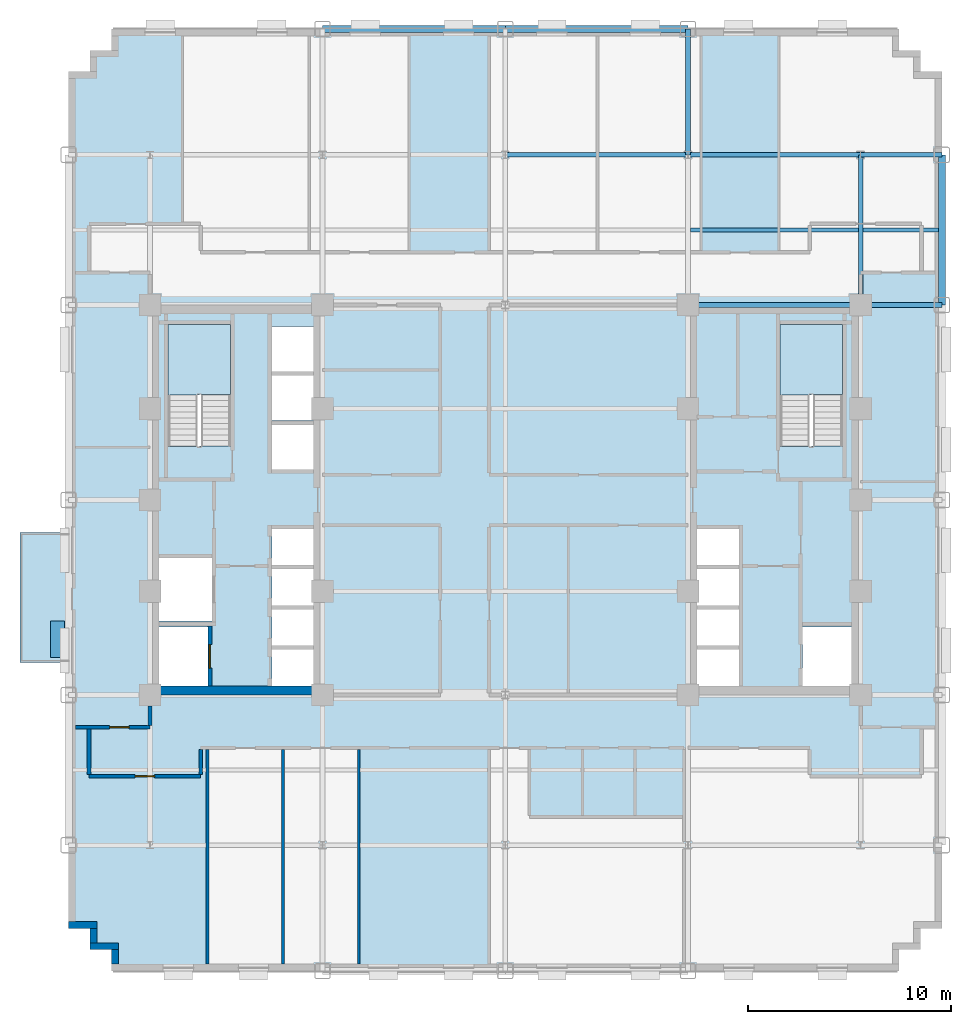
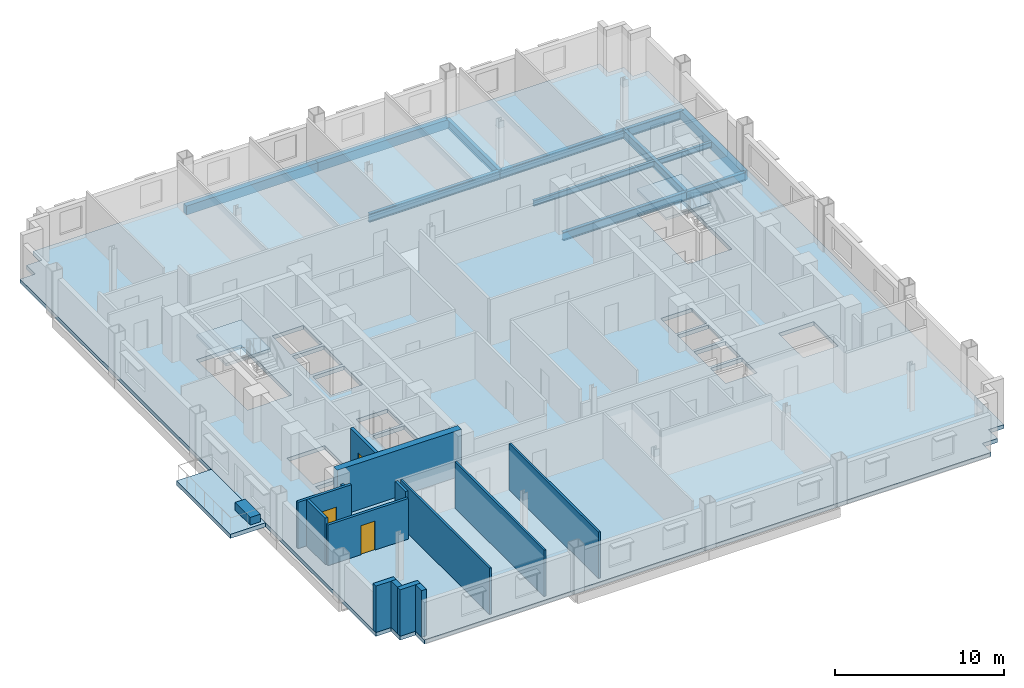
# One storey, part 5 of 14: 14 walls, 12 beams, 4 slabs, 3 doors, 1 plate, 3 openings, 2 elements without a shape of their own.
"""IFC4 building model written with IfcOpenShell, lengths in metres."""

from ifc_helpers import new_model, si_unit, direction, frame, frame_2d, origin, origin_2d, place, context, subcontext, project, spatial, polyline, rectangle, i_section, outline, extrude, source, transform, mapped, material, layer, layer_set, material_profile, profile_set, type_object, type_shapes, element, fill, aggregate, save


model = new_model("IFC4")

# Units and contexts
model_context = context("Model", 3, precision=1e-05, world=origin(), true_north=direction((0.0, 1.0)))
body_context = subcontext(model_context, "Body", "Model", "MODEL_VIEW")
ifc_project = project(units=[si_unit("LENGTHUNIT", "METRE"), si_unit("AREAUNIT", "SQUARE_METRE"), si_unit("VOLUMEUNIT", "CUBIC_METRE"), si_unit("PLANEANGLEUNIT", "RADIAN"), si_unit("MASSUNIT", "GRAM", prefix="KILO")], contexts=[model_context])

# Site, building, storey
site_placement = place(None, origin())
site = spatial("IfcSite", under=ifc_project, at=site_placement, CompositionType="ELEMENT")
building_placement = place(site_placement, origin())
building = spatial("IfcBuilding", under=site, at=building_placement, Name="Nuvemarco Arch Tower", CompositionType="ELEMENT")
storey_placement = place(building_placement, frame((0.0, 0.0, 60.449951171875)))
storey = spatial("IfcBuildingStorey", under=building, at=storey_placement, Name="L15", CompositionType="ELEMENT", Elevation=60.449951171875)

# Beams
ifc_material_1 = material(Name="Steel S355", Category="steel")
ifc_material_profile_1 = material_profile(ifc_material_1, i_section(OverallWidth=0.22998046875, OverallDepth=0.616943359375, WebThickness=0.01318359375, FlangeThickness=0.022216796875, FilletRadius=0.01611328125, at=origin_2d()), Name="W610x140")
ifc_profile_set_1 = profile_set([ifc_material_profile_1], Name="Steel S355")
beam_type_1 = type_object("IfcBeamType", Name="BM-GIRD-610", PredefinedType="BEAM", material=ifc_profile_set_1)
beam_1_placement = place(storey_placement, frame((9.0, 17.0, -0.58837890625), z_axis=(0.0, 1.0, 0.0), x_axis=(-1.0, 0.0, 0.0)))
element("IfcBeam", 1, at=beam_1_placement, inside=storey, type_object=beam_type_1, Name="L15 structural beam BGNS_L15_0_+9.0_+17.0", PredefinedType="BEAM", context=body_context, shape_type="SweptSolid", body=[
    extrude(i_section(OverallWidth=0.22998046875, OverallDepth=0.616943359375, WebThickness=0.01318359375, FlangeThickness=0.022216796875, FilletRadius=0.01611328125, at=origin_2d()), origin(), (0.0, 0.0, 1.0), 6.199951171875),
])
beam_2_placement = place(storey_placement, frame((17.5, 9.60009765625, -0.58837890625), z_axis=(0.0, 1.0, 0.0), x_axis=(-1.0, 0.0, 0.0)))
element("IfcBeam", 2, at=beam_2_placement, inside=storey, type_object=beam_type_1, Name="L15 structural beam BGNS_L15_0_+17.5_+9.6", PredefinedType="BEAM", context=body_context, shape_type="SweptSolid", body=[
    extrude(i_section(OverallWidth=0.22998046875, OverallDepth=0.616943359375, WebThickness=0.01318359375, FlangeThickness=0.022216796875, FilletRadius=0.01611328125, at=origin_2d()), origin(), (0.0, 0.0, 1.0), 7.39990234375),
])
beam_3_placement = place(storey_placement, frame((9.0, 9.60009765625, -0.58837890625), z_axis=(1.0, 0.0, 0.0), x_axis=(0.0, 1.0, 0.0)))
element("IfcBeam", 3, at=beam_3_placement, inside=storey, type_object=beam_type_1, Name="L15 structural beam BGEW_L15_0_+9.6_+9.0", PredefinedType="BEAM", context=body_context, shape_type="SweptSolid", body=[
    extrude(i_section(OverallWidth=0.22998046875, OverallDepth=0.616943359375, WebThickness=0.01318359375, FlangeThickness=0.022216796875, FilletRadius=0.01611328125, at=origin_2d()), origin(), (0.0, 0.0, 1.0), 8.5),
])
beam_4_placement = place(storey_placement, frame((17.5, 9.60009765625, -0.58837890625), z_axis=(1.0, 0.0, 0.0), x_axis=(0.0, 1.0, 0.0)))
element("IfcBeam", 4, at=beam_4_placement, inside=storey, type_object=beam_type_1, Name="L15 structural beam BGEW_L15_0_+9.6_+17.5", PredefinedType="BEAM", context=body_context, shape_type="SweptSolid", body=[
    extrude(i_section(OverallWidth=0.22998046875, OverallDepth=0.616943359375, WebThickness=0.01318359375, FlangeThickness=0.022216796875, FilletRadius=0.01611328125, at=origin_2d()), origin(), (0.0, 0.0, 1.0), 4.0),
])
beam_5_placement = place(storey_placement, frame((0.0, 17.0, -0.58837890625), z_axis=(1.0, 0.0, 0.0), x_axis=(0.0, 1.0, 0.0)))
element("IfcBeam", 5, at=beam_5_placement, inside=storey, type_object=beam_type_1, Name="L15 structural beam BGEW_L15_0_+17.0_+0.0", PredefinedType="BEAM", context=body_context, shape_type="SweptSolid", body=[
    extrude(i_section(OverallWidth=0.22998046875, OverallDepth=0.616943359375, WebThickness=0.01318359375, FlangeThickness=0.022216796875, FilletRadius=0.01611328125, at=origin_2d()), origin(), (0.0, 0.0, 1.0), 9.0),
])
beam_6_placement = place(storey_placement, frame((9.0, 17.0, -0.58837890625), z_axis=(1.0, 0.0, 0.0), x_axis=(0.0, 1.0, 0.0)))
element("IfcBeam", 6, at=beam_6_placement, inside=storey, type_object=beam_type_1, Name="L15 structural beam BGEW_L15_0_+17.0_+9.0", PredefinedType="BEAM", context=body_context, shape_type="SweptSolid", body=[
    extrude(i_section(OverallWidth=0.22998046875, OverallDepth=0.616943359375, WebThickness=0.01318359375, FlangeThickness=0.022216796875, FilletRadius=0.01611328125, at=origin_2d()), origin(), (0.0, 0.0, 1.0), 8.5),
])
beam_7_placement = place(storey_placement, frame((17.5, 17.0, -0.58837890625), z_axis=(1.0, 0.0, 0.0), x_axis=(0.0, 1.0, 0.0)))
element("IfcBeam", 7, at=beam_7_placement, inside=storey, type_object=beam_type_1, Name="L15 structural beam BGEW_L15_0_+17.0_+17.5", PredefinedType="BEAM", context=body_context, shape_type="SweptSolid", body=[
    extrude(i_section(OverallWidth=0.22998046875, OverallDepth=0.616943359375, WebThickness=0.01318359375, FlangeThickness=0.022216796875, FilletRadius=0.01611328125, at=origin_2d()), origin(), (0.0, 0.0, 1.0), 4.0),
])
ifc_material_profile_2 = material_profile(ifc_material_1, i_section(OverallWidth=0.179931640625, OverallDepth=0.4130859375, WebThickness=0.009765625, FlangeThickness=0.01611328125, FilletRadius=0.014892578125, at=origin_2d()), Name="W410x75")
ifc_profile_set_2 = profile_set([ifc_material_profile_2], Name="Steel S355")
beam_type_2 = type_object("IfcBeamType", Name="BM-JOIST-410", PredefinedType="JOIST", material=ifc_profile_set_2)
beam_8_placement = place(storey_placement, frame((9.114990234375, 13.300048828125, -0.486572265625), z_axis=(1.0, 0.0, 0.0), x_axis=(0.0, 1.0, 0.0)))
element("IfcBeam", 8, at=beam_8_placement, inside=storey, type_object=beam_type_2, Name="L15 structural beam BJ_L15_0_+13.3_+9.0", PredefinedType="JOIST", context=body_context, shape_type="SweptSolid", body=[
    extrude(i_section(OverallWidth=0.179931640625, OverallDepth=0.4130859375, WebThickness=0.009765625, FlangeThickness=0.01611328125, FilletRadius=0.014892578125, at=origin_2d()), origin(), (0.0, 0.0, 1.0), 8.27001953125),
])
beam_9_placement = place(storey_placement, frame((17.614990234375, 13.300048828125, -0.486572265625), z_axis=(1.0, 0.0, 0.0), x_axis=(0.0, 1.0, 0.0)))
element("IfcBeam", 9, at=beam_9_placement, inside=storey, type_object=beam_type_2, Name="L15 structural beam BJ_L15_0_+13.3_+17.5", PredefinedType="JOIST", context=body_context, shape_type="SweptSolid", body=[
    extrude(i_section(OverallWidth=0.179931640625, OverallDepth=0.4130859375, WebThickness=0.009765625, FlangeThickness=0.01611328125, FilletRadius=0.014892578125, at=origin_2d()), origin(), (0.0, 0.0, 1.0), 3.7099609375),
])
ifc_material_2 = material(Name="Precast concrete C45/55", Category="concrete")
ifc_material_profile_3 = material_profile(ifc_material_2, rectangle(XDim=0.35009765625, YDim=0.64990234375, at=origin_2d()), Name="PC-SP-350x650")
ifc_profile_set_3 = profile_set([ifc_material_profile_3], Name="Precast concrete C45/55")
beam_type_3 = type_object("IfcBeamType", Name="BM-SPAN-RC", PredefinedType="SPANDREL", material=ifc_profile_set_3)
beam_10_placement = place(storey_placement, frame((21.5, 9.60009765625, -0.60498046875), z_axis=(0.0, 1.0, 0.0), x_axis=(-1.0, 0.0, 0.0)))
element("IfcBeam", 10, at=beam_10_placement, inside=storey, type_object=beam_type_3, Name="L15 structural beam BGNS_L15_0_+21.5_+9.6", PredefinedType="SPANDREL", context=body_context, shape_type="SweptSolid", body=[
    extrude(rectangle(XDim=0.35009765625, YDim=0.64990234375, at=origin_2d()), origin(), (0.0, 0.0, 1.0), 7.39990234375),
])
for number, where, z_axis, x_axis, name in (
    (11, (-9.0, 23.199951171875, -0.60498046875), (1.0, 0.0, 0.0), (0.0, 1.0, 0.0), "L15 structural beam BGEW_L15_0_+23.2_-9.0"),
    (12, (0.0, 23.199951171875, -0.60498046875), (1.0, 0.0, 0.0), (0.0, 1.0, 0.0), "L15 structural beam BGEW_L15_0_+23.2_+0.0"),
):
    element("IfcBeam", number, at=place(storey_placement, frame(where, z_axis=z_axis, x_axis=x_axis)), inside=storey, type_object=beam_type_3, Name=name, PredefinedType="SPANDREL", context=body_context, shape_type="SweptSolid", body=[
        extrude(rectangle(XDim=0.35009765625, YDim=0.64990234375, at=origin_2d()), origin(), (0.0, 0.0, 1.0), 9.0),
    ])

# Slab
ifc_material_3 = material(Name="Concrete C50/60", Category="concrete")
ifc_layer_1 = layer(ifc_material_3, 0.280029296875, Name="SL-FLR-280")
ifc_layer_set_1 = layer_set([ifc_layer_1], Name="Concrete C50/60")
slab_type_1 = type_object("IfcSlabType", Name="SL-FLR-280", PredefinedType="FLOOR", material=ifc_layer_set_1)
slab_1_placement = place(storey_placement, frame((0.0, 0.0, -0.280029296875)))
element("IfcSlab", 13, at=slab_1_placement, inside=storey, type_object=slab_type_1, Name="L15 structural floor slab", PredefinedType="FLOOR", context=body_context, shape_type="SweptSolid", body=[
    extrude(outline(polyline([(-19.39990234375, -23.199951171875), (19.39990234375, -23.199951171875), (19.39990234375, -22.14990234375), (20.449951171875, -22.14990234375), (20.449951171875, -21.10009765625), (21.5, -21.10009765625), (21.5, 21.10009765625), (20.449951171875, 21.10009765625), (20.449951171875, 22.14990234375), (19.39990234375, 22.14990234375), (19.39990234375, 23.199951171875), (-19.39990234375, 23.199951171875), (-19.39990234375, 22.14990234375), (-20.449951171875, 22.14990234375), (-20.449951171875, 21.10009765625), (-21.5, 21.10009765625), (-21.5, -21.10009765625), (-20.449951171875, -21.10009765625), (-20.449951171875, -22.14990234375), (-19.39990234375, -22.14990234375), (-19.39990234375, -23.199951171875)]), holes=[polyline([(-13.5400390625, 2.669921875), (-13.5400390625, 8.64990234375), (-16.60009765625, 8.64990234375), (-16.60009765625, 2.630615234375), (-15.070068359375, 2.630615234375), (-15.070068359375, 2.669921875), (-13.5400390625, 2.669921875)]), polyline([(16.60009765625, 2.669921875), (16.60009765625, 8.64990234375), (13.5400390625, 8.64990234375), (13.5400390625, 2.630615234375), (15.070068359375, 2.630615234375), (15.070068359375, 2.669921875), (16.60009765625, 2.669921875)]), polyline([(-17.050048828125, -9.14990234375), (-14.64990234375, -9.14990234375), (-14.64990234375, -6.25), (-17.050048828125, -6.25), (-17.050048828125, -9.14990234375)]), polyline([(-17.050048828125, -5.949951171875), (-14.449951171875, -5.949951171875), (-14.449951171875, -2.85009765625), (-17.050048828125, -2.85009765625), (-17.050048828125, -5.949951171875)]), polyline([(-11.5, -9.14990234375), (-9.35009765625, -9.14990234375), (-9.35009765625, -7.3701171875), (-11.5, -7.3701171875), (-11.5, -9.14990234375)]), polyline([(-11.5, -7.169921875), (-9.35009765625, -7.169921875), (-9.35009765625, -5.389892578125), (-11.5, -5.389892578125), (-11.5, -7.169921875)]), polyline([(-11.5, -5.18994140625), (-9.35009765625, -5.18994140625), (-9.35009765625, -3.409912109375), (-11.5, -3.409912109375), (-11.5, -5.18994140625)]), polyline([(-11.5, -3.2099609375), (-9.35009765625, -3.2099609375), (-9.35009765625, -1.429931640625), (-11.5, -1.429931640625), (-11.5, -3.2099609375)]), polyline([(-11.5, 1.5), (-9.35009765625, 1.5), (-9.35009765625, 3.699951171875), (-11.5, 3.699951171875), (-11.5, 1.5)]), polyline([(-11.5, 3.919921875), (-9.35009765625, 3.919921875), (-9.35009765625, 6.1201171875), (-11.5, 6.1201171875), (-11.5, 3.919921875)]), polyline([(-11.5, 6.340087890625), (-9.35009765625, 6.340087890625), (-9.35009765625, 8.5400390625), (-11.5, 8.5400390625), (-11.5, 6.340087890625)]), polyline([(14.64990234375, -9.14990234375), (17.050048828125, -9.14990234375), (17.050048828125, -6.25), (14.64990234375, -6.25), (14.64990234375, -9.14990234375)]), polyline([(9.35009765625, -9.14990234375), (11.5, -9.14990234375), (11.5, -7.3701171875), (9.35009765625, -7.3701171875), (9.35009765625, -9.14990234375)]), polyline([(9.35009765625, -7.169921875), (11.5, -7.169921875), (11.5, -5.389892578125), (9.35009765625, -5.389892578125), (9.35009765625, -7.169921875)]), polyline([(9.35009765625, -5.18994140625), (11.5, -5.18994140625), (11.5, -3.409912109375), (9.35009765625, -3.409912109375), (9.35009765625, -5.18994140625)]), polyline([(9.35009765625, -3.2099609375), (11.5, -3.2099609375), (11.5, -1.429931640625), (9.35009765625, -1.429931640625), (9.35009765625, -3.2099609375)])]), origin(), (0.0, 0.0, 1.0), 0.280029296875),
])

# Stair, slab
stair_type = type_object("IfcStairType", Name="ST-CORE-20R", PredefinedType="HALF_TURN_STAIR", material=ifc_material_2)
stair_1_placement = place(storey_placement, origin())
stair_1 = element("IfcStair", 14, at=stair_1_placement, inside=storey, type_object=stair_type, Name="L15 Protected Exit Stair ST-1", PredefinedType="HALF_TURN_STAIR")
ifc_layer_2 = layer(ifc_material_2, 0.199951171875, Name="SL-LANDING-200")
ifc_layer_set_2 = layer_set([ifc_layer_2], Name="Precast concrete C45/55")
slab_type_2 = type_object("IfcSlabType", Name="SL-LANDING-200", PredefinedType="LANDING", material=ifc_layer_set_2)
slab_2_placement = place(storey_placement, frame((0.0, 0.0, 1.625)))
slab_2 = element("IfcSlab", 15, at=slab_2_placement, type_object=slab_type_2, Name="ST-20R landing 1", PredefinedType="LANDING", context=body_context, shape_type="SweptSolid", body=[
    extrude(outline(polyline([(-13.5400390625, 5.189453125), (-13.5400390625, 8.64990234375), (-16.60009765625, 8.64990234375), (-16.60009765625, 5.169921875), (-15.070068359375, 5.169921875), (-15.070068359375, 5.189453125), (-13.5400390625, 5.189453125)])), origin(), (0.0, 0.0, 1.0), 0.199951171875),
])
aggregate(stair_1, [slab_2])

stair_2_placement = place(storey_placement, origin())
stair_2 = element("IfcStair", 16, at=stair_2_placement, inside=storey, type_object=stair_type, Name="L15 Protected Exit Stair ST-2", PredefinedType="HALF_TURN_STAIR")
slab_3_placement = place(storey_placement, frame((0.0, 0.0, 1.625)))
slab_3 = element("IfcSlab", 17, at=slab_3_placement, type_object=slab_type_2, Name="ST-20R landing 1", PredefinedType="LANDING", context=body_context, shape_type="SweptSolid", body=[
    extrude(outline(polyline([(16.60009765625, 5.189453125), (16.60009765625, 8.64990234375), (13.5400390625, 8.64990234375), (13.5400390625, 5.169921875), (15.070068359375, 5.169921875), (15.070068359375, 5.189453125), (16.60009765625, 5.189453125)])), origin(), (0.0, 0.0, 1.0), 0.199951171875),
])
aggregate(stair_2, [slab_3])

# Slab
ifc_layer_3 = layer(ifc_material_3, 0.294921875, Name="SL-TR4")
ifc_layer_set_3 = layer_set([ifc_layer_3], Name="Concrete C50/60")
slab_type_3 = type_object("IfcSlabType", Name="SL-TR4", PredefinedType="FLOOR", material=ifc_layer_set_3)
slab_4_placement = place(storey_placement, frame((0.0, 0.0, -0.294921875)))
element("IfcSlab", 18, at=slab_4_placement, inside=storey, type_object=slab_type_3, Name="L15 outdoor spiral terrace slab 1", PredefinedType="FLOOR", context=body_context, shape_type="SweptSolid", body=[
    extrude(outline(polyline([(-23.89990234375, -8.0), (-21.5, -8.0), (-21.5, -1.60009765625), (-23.89990234375, -1.60009765625), (-23.89990234375, -8.0)])), origin(), (0.0, 0.0, 1.0), 0.294921875),
])

# Plate
ifc_layer_4 = layer(ifc_material_2, 0.550048828125, Name="Tree Balcony Structural Planter")
ifc_layer_set_4 = layer_set([ifc_layer_4], Name="Precast concrete C45/55")
plate_type = type_object("IfcPlateType", Name="Tree Balcony Structural Planter", PredefinedType="USERDEFINED", material=ifc_layer_set_4)
shared_shape_1 = source(origin(), body_context, "Body", "SweptSolid", [
    extrude(rectangle(XDim=1.800048828125, YDim=0.699951171875, at=origin_2d()), origin(), (0.0, 0.0, 1.0), 0.550048828125),
])
type_shapes(plate_type, [shared_shape_1])
plate_placement = place(storey_placement, frame((-22.050048828125, -6.85009765625, 0.0), z_axis=(0.0, 0.0, 1.0), x_axis=(0.0, 1.0, 0.0)))
element("IfcPlate", 19, at=plate_placement, inside=storey, type_object=plate_type, Name="L15 Tree Balcony Structural Planter", ObjectType="PLANTER", PredefinedType="USERDEFINED", context=body_context, shape_type="MappedRepresentation", body=[
    mapped(shared_shape_1, transform((0.0, 0.0, 0.0), scale=1.0)),
])

# Walls
ifc_layer_5 = layer(ifc_material_2, 0.340087890625, Name="EW-LOW-340")
ifc_layer_set_5 = layer_set([ifc_layer_5], Name="Precast concrete C45/55")
wall_type_1 = type_object("IfcWallType", Name="EW-LOW-340", PredefinedType="STANDARD", material=ifc_layer_set_5)
wall_1_placement = place(storey_placement, frame((-21.5, -20.929931640625, 0.0), z_axis=(0.0, 0.0, 1.0), x_axis=(1.0, 0.0, 0.0)))
element("IfcWall", 20, at=wall_1_placement, inside=storey, type_object=wall_type_1, Name="L15 exterior precast facade wall 17", PredefinedType="STANDARD", context=body_context, shape_type="SweptSolid", body=[
    extrude(rectangle(XDim=1.389892578125, YDim=0.340087890625, at=frame_2d((0.69482421875, 0.0))), origin(), (0.0, 0.0, 1.0), 3.360107421875),
])
wall_2_placement = place(storey_placement, frame((-20.280029296875, -21.81396484375, 0.0), z_axis=(0.0, 0.0, 1.0), x_axis=(0.0, 1.0, 0.0)))
element("IfcWall", 21, at=wall_2_placement, inside=storey, type_object=wall_type_1, Name="L15 exterior precast facade wall 18", PredefinedType="STANDARD", context=body_context, shape_type="SweptSolid", body=[
    extrude(rectangle(XDim=0.718017578125, YDim=0.340087890625, at=frame_2d((0.35888671875, 0.0))), origin(), (0.0, 0.0, 1.0), 3.360107421875),
])
wall_3_placement = place(storey_placement, frame((-20.449951171875, -21.97998046875, 0.0), z_axis=(0.0, 0.0, 1.0), x_axis=(1.0, 0.0, 0.0)))
element("IfcWall", 22, at=wall_3_placement, inside=storey, type_object=wall_type_1, Name="L15 exterior precast facade wall 19", PredefinedType="STANDARD", context=body_context, shape_type="SweptSolid", body=[
    extrude(rectangle(XDim=1.389892578125, YDim=0.340087890625, at=frame_2d((0.69482421875, 0.0))), origin(), (0.0, 0.0, 1.0), 3.360107421875),
])
wall_4_placement = place(storey_placement, frame((-19.22998046875, -22.864013671875, 0.0), z_axis=(0.0, 0.0, 1.0), x_axis=(0.0, 1.0, 0.0)))
element("IfcWall", 23, at=wall_4_placement, inside=storey, type_object=wall_type_1, Name="L15 exterior precast facade wall 20", PredefinedType="STANDARD", context=body_context, shape_type="SweptSolid", body=[
    extrude(rectangle(XDim=0.718017578125, YDim=0.340087890625, at=frame_2d((0.35888671875, 0.0))), origin(), (0.0, 0.0, 1.0), 3.360107421875),
])
ifc_material_4 = material(Name="Concrete C60/75", Category="concrete")
ifc_layer_6 = layer(ifc_material_4, 0.449951171875, Name="WL-CORE-450")
ifc_layer_set_6 = layer_set([ifc_layer_6], Name="Concrete C60/75")
wall_type_2 = type_object("IfcWallType", Name="WL-CORE-450", PredefinedType="SHEAR", material=ifc_layer_set_6)
wall_5_placement = place(storey_placement, frame((-17.5, -9.375, 0.0), z_axis=(0.0, 0.0, 1.0), x_axis=(1.0, 0.0, 0.0)))
element("IfcWall", 24, at=wall_5_placement, inside=storey, type_object=wall_type_2, Name="L15 W-core shear wall S", PredefinedType="SHEAR", context=body_context, shape_type="SweptSolid", body=[
    extrude(rectangle(XDim=8.5, YDim=0.449951171875, at=frame_2d((4.25, 0.0))), origin(), (0.0, 0.0, 1.0), 3.3701171875),
])

# Wall, opening, door
ifc_material_5 = material(Name="Fire-rated gypsum drywall partition")
ifc_layer_7 = layer(ifc_material_5, 0.179931640625, Name="WL-CORR-180")
ifc_layer_set_7 = layer_set([ifc_layer_7], Name="Fire-rated gypsum drywall partition")
wall_type_3 = type_object("IfcWallType", Name="WL-CORR-180", PredefinedType="PARTITIONING", material=ifc_layer_set_7)
wall_6_placement = place(storey_placement, frame((-20.5, -13.60009765625, 0.0), z_axis=(0.0, 0.0, 1.0), x_axis=(1.0, 0.0, 0.0)))
wall_6 = element("IfcWall", 25, at=wall_6_placement, inside=storey, type_object=wall_type_3, Name="L15 interior wall IW-L15-002", PredefinedType="PARTITIONING", context=body_context, shape_type="SweptSolid", body=[
    extrude(rectangle(XDim=5.5, YDim=0.179931640625, at=frame_2d((2.75, 0.0))), origin(), (0.0, 0.0, 1.0), 2.942138671875),
])
opening_1_placement = place(wall_6_placement, frame((2.27001953125, 0.0, 0.0)))
opening_1 = element("IfcOpeningElement", 26, at=opening_1_placement, cuts=wall_6, Name="Opening FD-5", PredefinedType="OPENING", context=body_context, shape_type="SweptSolid", body=[
    extrude(rectangle(XDim=0.9599609375, YDim=2.10009765625, at=frame_2d((0.47998046875, 1.050048828125))), frame((0.0, 0.099853515625, 0.0), z_axis=(0.0, -1.0, 0.0), x_axis=(1.0, 0.0, 0.0)), (0.0, 0.0, 1.0), 0.199951171875),
])
ifc_material_6 = material(Name="Timber fire door", Category="wood")
door_type_1 = type_object("IfcDoorType", Name="DR-CORR-FD", OperationType="NOTDEFINED", PredefinedType="DOOR", material=ifc_material_6)
shared_shape_2 = source(origin(), body_context, "Body", "SweptSolid", [
    extrude(rectangle(XDim=0.9599609375, YDim=2.10009765625, at=frame_2d((0.47998046875, 1.050048828125))), frame((0.0, 0.02490234375, 0.0), z_axis=(0.0, -1.0, 0.0), x_axis=(1.0, 0.0, 0.0)), (0.0, 0.0, 1.0), 0.050048828125),
])
type_shapes(door_type_1, [shared_shape_2])
door_1_placement = place(opening_1_placement, origin())
door_1 = element("IfcDoor", 27, at=door_1_placement, inside=storey, type_object=door_type_1, Name="L15 door DR-L15-S_1", OperationType="SINGLE_SWING_LEFT", OverallHeight=2.10009765625, OverallWidth=0.9599609375, PredefinedType="DOOR", context=body_context, shape_type="MappedRepresentation", body=[
    mapped(shared_shape_2, transform((0.0, 0.0, 0.0), scale=1.0)),
])
fill(opening_1, door_1)

wall_7_placement = place(storey_placement, frame((-21.159912109375, -11.199951171875, 0.0), z_axis=(0.0, 0.0, 1.0), x_axis=(1.0, 0.0, 0.0)))
wall_7 = element("IfcWall", 28, at=wall_7_placement, inside=storey, type_object=wall_type_3, Name="L15 interior wall IW-L15-006", PredefinedType="PARTITIONING", context=body_context, shape_type="SweptSolid", body=[
    extrude(rectangle(XDim=3.659912109375, YDim=0.179931640625, at=frame_2d((1.830078125, 0.0))), origin(), (0.0, 0.0, 1.0), 3.360107421875),
])
opening_2_placement = place(wall_7_placement, frame((1.679931640625, 0.0, 0.0)))
opening_2 = element("IfcOpeningElement", 29, at=opening_2_placement, cuts=wall_7, Name="Opening FD-5", PredefinedType="OPENING", context=body_context, shape_type="SweptSolid", body=[
    extrude(rectangle(XDim=0.9599609375, YDim=2.10009765625, at=frame_2d((0.47998046875, 1.050048828125))), frame((0.0, 0.099853515625, 0.0), z_axis=(0.0, -1.0, 0.0), x_axis=(1.0, 0.0, 0.0)), (0.0, 0.0, 1.0), 0.199951171875),
])
door_2_placement = place(opening_2_placement, origin())
door_2 = element("IfcDoor", 30, at=door_2_placement, inside=storey, type_object=door_type_1, Name="L15 door DR-L15-W_1", OperationType="SINGLE_SWING_RIGHT", OverallHeight=2.10009765625, OverallWidth=0.9599609375, PredefinedType="DOOR", context=body_context, shape_type="MappedRepresentation", body=[
    mapped(shared_shape_2, transform((0.0, 0.0, 0.0), scale=1.0)),
])
fill(opening_2, door_2)

# Walls
wall_8_placement = place(storey_placement, frame((-20.5, -13.513916015625, 0.0), z_axis=(0.0, 0.0, 1.0), x_axis=(0.0, 1.0, 0.0)))
element("IfcWall", 31, at=wall_8_placement, inside=storey, type_object=wall_type_3, Name="L15 interior wall IW-L15-026", PredefinedType="PARTITIONING", context=body_context, shape_type="SweptSolid", body=[
    extrude(rectangle(XDim=2.22802734375, YDim=0.179931640625, at=frame_2d((1.114013671875, 0.0))), origin(), (0.0, 0.0, 1.0), 3.360107421875),
])
wall_9_placement = place(storey_placement, frame((-17.5, -11.114013671875, 0.0), z_axis=(0.0, 0.0, 1.0), x_axis=(0.0, 1.0, 0.0)))
element("IfcWall", 32, at=wall_9_placement, inside=storey, type_object=wall_type_3, Name="L15 interior wall IW-L15-028", PredefinedType="PARTITIONING", context=body_context, shape_type="SweptSolid", body=[
    extrude(rectangle(XDim=0.968017578125, YDim=0.179931640625, at=frame_2d((0.48388671875, 0.0))), origin(), (0.0, 0.0, 1.0), 2.738037109375),
])
wall_10_placement = place(storey_placement, frame((-15.0, -13.513916015625, 0.0), z_axis=(0.0, 0.0, 1.0), x_axis=(0.0, 1.0, 0.0)))
element("IfcWall", 33, at=wall_10_placement, inside=storey, type_object=wall_type_3, Name="L15 interior wall IW-L15-031", PredefinedType="PARTITIONING", context=body_context, shape_type="SweptSolid", body=[
    extrude(rectangle(XDim=1.22802734375, YDim=0.179931640625, at=frame_2d((0.614013671875, 0.0))), origin(), (0.0, 0.0, 1.0), 3.360107421875),
])
ifc_material_7 = material(Name="Gypsum plasterboard partition")
ifc_layer_8 = layer(ifc_material_7, 0.139892578125, Name="WL-ROOM-140")
ifc_layer_set_8 = layer_set([ifc_layer_8], Name="Gypsum plasterboard partition")
wall_type_4 = type_object("IfcWallType", Name="WL-ROOM-140", PredefinedType="PARTITIONING", material=ifc_layer_set_8)
for number, where, z_axis, x_axis, name in (
    (34, (-14.669921875, -22.860107421875, 0.0), (0.0, 0.0, 1.0), (0.0, 1.0, 0.0), "L15 interior wall IW-L15-033"),
    (35, (-10.93994140625, -22.860107421875, 0.0), (0.0, 0.0, 1.0), (0.0, 1.0, 0.0), "L15 interior wall IW-L15-034"),
    (36, (-7.219970703125, -22.860107421875, 0.0), (0.0, 0.0, 1.0), (0.0, 1.0, 0.0), "L15 interior wall IW-L15-036"),
):
    element("IfcWall", number, at=place(storey_placement, frame(where, z_axis=z_axis, x_axis=x_axis)), inside=storey, type_object=wall_type_4, Name=name, PredefinedType="PARTITIONING", context=body_context, shape_type="SweptSolid", body=[
        extrude(rectangle(XDim=10.57421875, YDim=0.139892578125, at=frame_2d((5.287109375, 0.0))), origin(), (0.0, 0.0, 1.0), 3.360107421875),
    ])

# Wall, opening, door
ifc_layer_9 = layer(ifc_material_3, 0.199951171875, Name="WL-SHAFT-220")
ifc_layer_set_9 = layer_set([ifc_layer_9], Name="Concrete C50/60")
wall_type_5 = type_object("IfcWallType", Name="WL-SHAFT-220", PredefinedType="SHEAR", material=ifc_layer_set_9)
wall_11_placement = place(storey_placement, frame((-14.550048828125, -9.155029296875, 0.0), z_axis=(0.0, 0.0, 1.0), x_axis=(0.0, 1.0, 0.0)))
wall_11 = element("IfcWall", 37, at=wall_11_placement, inside=storey, type_object=wall_type_5, Name="L15 structural shaft wall SW-L15-W-SHE", PredefinedType="SHEAR", context=body_context, shape_type="SweptSolid", body=[
    extrude(rectangle(XDim=2.9599609375, YDim=0.199951171875, at=frame_2d((1.47998046875, 0.0))), origin(), (0.0, 0.0, 1.0), 3.3701171875),
])
opening_3_placement = place(wall_11_placement, frame((0.8798828125, 0.0, 0.0)))
opening_3 = element("IfcOpeningElement", 38, at=opening_3_placement, cuts=wall_11, Name="Opening LD-2", PredefinedType="OPENING", context=body_context, shape_type="SweptSolid", body=[
    extrude(rectangle(XDim=1.14990234375, YDim=2.14990234375, at=frame_2d((0.574951171875, 1.074951171875))), frame((0.0, 0.10986328125, 0.0), z_axis=(0.0, -1.0, 0.0), x_axis=(1.0, 0.0, 0.0)), (0.0, 0.0, 1.0), 0.219970703125),
])
ifc_material_8 = material(Name="Stainless steel lift door", Category="steel")
door_type_2 = type_object("IfcDoorType", Name="DR-LIFT-FIRE", OperationType="DOUBLE_DOOR_SLIDING", PredefinedType="DOOR", material=ifc_material_8)
shared_shape_3 = source(origin(), body_context, "Body", "SweptSolid", [
    extrude(rectangle(XDim=1.14990234375, YDim=2.14990234375, at=frame_2d((0.574951171875, 1.074951171875))), frame((0.0, 0.02490234375, 0.0), z_axis=(0.0, -1.0, 0.0), x_axis=(1.0, 0.0, 0.0)), (0.0, 0.0, 1.0), 0.050048828125),
])
type_shapes(door_type_2, [shared_shape_3])
door_3_placement = place(opening_3_placement, origin())
door_3 = element("IfcDoor", 39, at=door_3_placement, inside=storey, type_object=door_type_2, Name="L15 Lift landing sliding door FFL-1", OperationType="DOUBLE_DOOR_SLIDING", OverallHeight=2.14990234375, OverallWidth=1.14990234375, PredefinedType="DOOR", context=body_context, shape_type="MappedRepresentation", body=[
    mapped(shared_shape_3, transform((0.0, 0.0, 0.0), scale=1.0)),
])
fill(opening_3, door_3)

save(model, "model.ifc")
